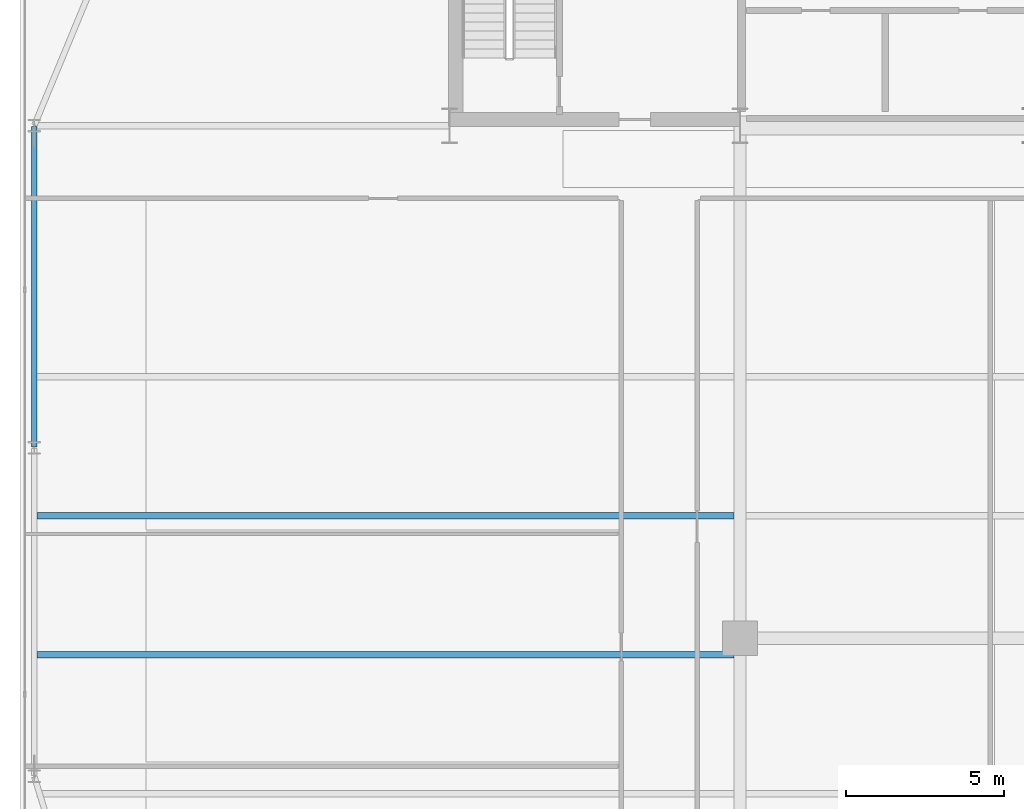
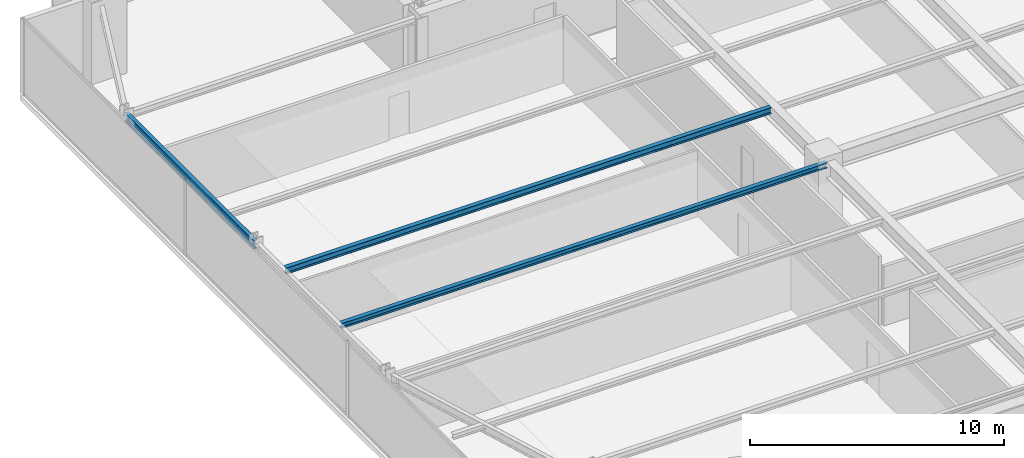
# One storey, part 9 of 32: 3 beams.
"""IFC4 building model written with IfcOpenShell, lengths in metres."""

from ifc_helpers import new_model, si_unit, direction, frame, origin, origin_2d, place, context, subcontext, project, spatial, i_section, extrude, source, transform, mapped, material, material_profile, profile_set, type_object, type_shapes, element, save


model = new_model("IFC4")

# Units and contexts
model_context = context("Model", 3, precision=1e-05, world=origin(), true_north=direction((0.0, 1.0)))
body_context = subcontext(model_context, "Body", "Model", "MODEL_VIEW")
ifc_project = project(units=[si_unit("LENGTHUNIT", "METRE"), si_unit("AREAUNIT", "SQUARE_METRE"), si_unit("VOLUMEUNIT", "CUBIC_METRE"), si_unit("PLANEANGLEUNIT", "RADIAN"), si_unit("MASSUNIT", "GRAM", prefix="KILO")], contexts=[model_context])

# Site, building, storey
site_placement = place(None, origin())
site = spatial("IfcSite", under=ifc_project, at=site_placement, CompositionType="ELEMENT")
building_placement = place(site_placement, origin())
building = spatial("IfcBuilding", under=site, at=building_placement, Name="Varnel Quay Broadcast Tower", CompositionType="ELEMENT")
storey_placement = place(building_placement, frame((0.0, 0.0, 54.89990234375)))
storey = spatial("IfcBuildingStorey", under=building, at=storey_placement, Name="L12", CompositionType="ELEMENT", Elevation=54.89990234375)

# Beams
ifc_material = material(Name="Structural Steel CSA G40.21 350W", Category="steel")
ifc_material_profile_1 = material_profile(ifc_material, i_section(OverallWidth=0.180908203125, OverallDepth=0.4169921875, WebThickness=0.010986328125, FlangeThickness=0.018310546875, FilletRadius=0.011962890625, at=origin_2d()), Name="W410X85")
ifc_profile_set_1 = profile_set([ifc_material_profile_1], Name="Structural Steel CSA G40.21 350W")
beam_type_1 = type_object("IfcBeamType", Name="Beam_W410X85", PredefinedType="SPANDREL", material=ifc_profile_set_1)
shared_shape_1 = source(origin(), body_context, "Body", "SweptSolid", [
    extrude(i_section(OverallWidth=0.180908203125, OverallDepth=0.4169921875, WebThickness=0.010986328125, FlangeThickness=0.018310546875, FilletRadius=0.011962890625, at=origin_2d()), origin(), (0.0, 0.0, 1.0), 10.16015625),
])
type_shapes(beam_type_1, [shared_shape_1])
beam_1_placement = place(storey_placement, frame((2.449951171875, 25.419921875, 3.441650390625), z_axis=(0.0, 1.0, 0.0), x_axis=(-1.0, 0.0, 0.0)))
element("IfcBeam", 1, at=beam_1_placement, inside=storey, type_object=beam_type_1, Name="L12 West Spandrel TC-W2-TC-W3", PredefinedType="SPANDREL", context=body_context, shape_type="MappedRepresentation", body=[
    mapped(shared_shape_1, transform((0.0, 0.0, 0.0), x_axis=(1.0, 0.0, 0.0), y_axis=(0.0, 1.0, 0.0), z_axis=(0.0, 0.0, 1.0), scale=1.0)),
])
ifc_material_profile_2 = material_profile(ifc_material, i_section(OverallWidth=0.202880859375, OverallDepth=0.302978515625, WebThickness=0.007568359375, FlangeThickness=0.01318359375, FilletRadius=0.011962890625, at=origin_2d()), Name="W310X60")
ifc_profile_set_2 = profile_set([ifc_material_profile_2], Name="Structural Steel CSA G40.21 350W")
beam_type_2 = type_object("IfcBeamType", Name="Beam_W310X60", PredefinedType="JOIST", material=ifc_profile_set_2)
shared_shape_2 = source(origin(), body_context, "Body", "SweptSolid", [
    extrude(i_section(OverallWidth=0.202880859375, OverallDepth=0.302978515625, WebThickness=0.007568359375, FlangeThickness=0.01318359375, FilletRadius=0.011962890625, at=origin_2d()), origin(), (0.0, 0.0, 1.0), 22.0791015625),
])
type_shapes(beam_type_2, [shared_shape_2])
beam_2_placement = place(storey_placement, frame((2.535400390625, 23.25, 3.49853515625), z_axis=(1.0, 0.0, 0.0), x_axis=(0.0, 1.0, 0.0)))
element("IfcBeam", 2, at=beam_2_placement, inside=storey, type_object=beam_type_2, Name="L12 West Floor Joist 5", PredefinedType="JOIST", context=body_context, shape_type="MappedRepresentation", body=[
    mapped(shared_shape_2, transform((0.0, 0.0, 0.0), x_axis=(1.0, 0.0, 0.0), y_axis=(0.0, 1.0, 0.0), z_axis=(0.0, 0.0, 1.0), scale=1.0)),
])
ifc_material_profile_3 = material_profile(ifc_material, i_section(OverallWidth=0.201904296875, OverallDepth=0.2470703125, WebThickness=0.00732421875, FlangeThickness=0.010986328125, FilletRadius=0.010986328125, at=origin_2d()), Name="W250X49")
ifc_profile_set_3 = profile_set([ifc_material_profile_3], Name="Structural Steel CSA G40.21 350W")
beam_type_3 = type_object("IfcBeamType", Name="Beam_W250X49", PredefinedType="JOIST", material=ifc_profile_set_3)
shared_shape_3 = source(origin(), body_context, "Body", "SweptSolid", [
    extrude(i_section(OverallWidth=0.201904296875, OverallDepth=0.2470703125, WebThickness=0.00732421875, FlangeThickness=0.010986328125, FilletRadius=0.010986328125, at=origin_2d()), origin(), (0.0, 0.0, 1.0), 22.0791015625),
])
type_shapes(beam_type_3, [shared_shape_3])
beam_3_placement = place(storey_placement, frame((2.535400390625, 18.85009765625, 3.526611328125), z_axis=(1.0, 0.0, 0.0), x_axis=(0.0, 1.0, 0.0)))
element("IfcBeam", 3, at=beam_3_placement, inside=storey, type_object=beam_type_3, Name="L12 West Floor Joist 4", PredefinedType="JOIST", context=body_context, shape_type="MappedRepresentation", body=[
    mapped(shared_shape_3, transform((0.0, 0.0, 0.0), x_axis=(1.0, 0.0, 0.0), y_axis=(0.0, 1.0, 0.0), z_axis=(0.0, 0.0, 1.0), scale=1.0)),
])

save(model, "model.ifc")
